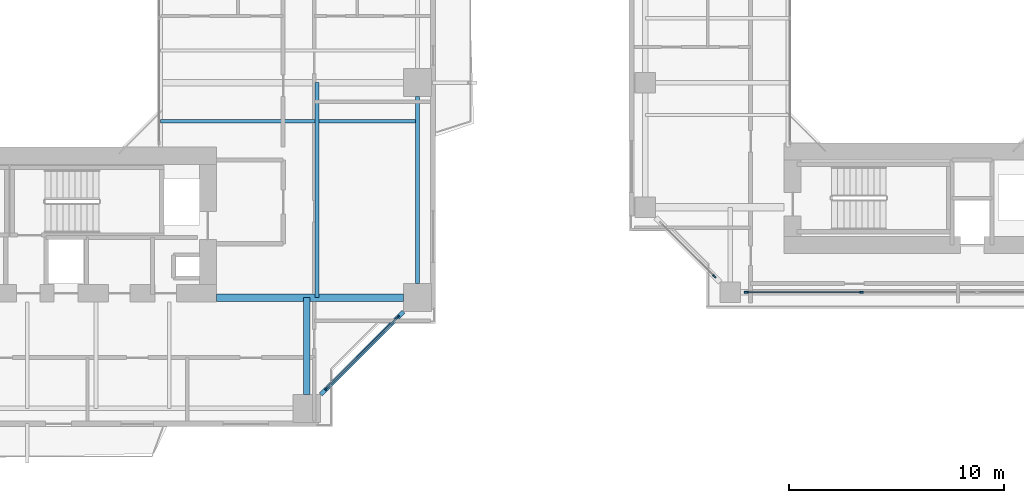
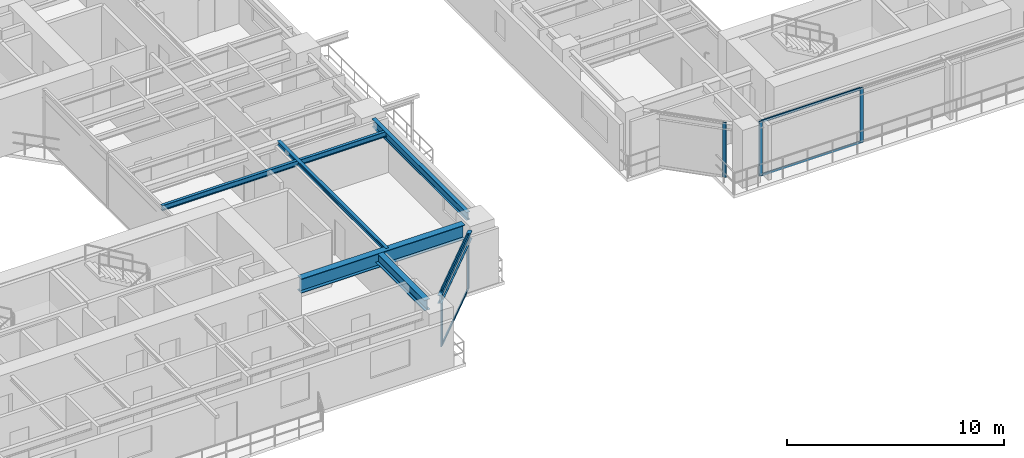
# One storey, part 5 of 23: 9 members, 6 beams, 3 elements without a shape of their own.
"""IFC4 building model written with IfcOpenShell, lengths in metres."""

from ifc_helpers import new_model, si_unit, direction, frame, origin, origin_2d, place, context, subcontext, project, spatial, rectangle, i_section, extrude, source, transform, mapped, material, layer, layer_set, material_profile, profile_set, type_object, element, aggregate, save


model = new_model("IFC4")

# Units and contexts
model_context = context("Model", 3, precision=1e-05, world=origin(), true_north=direction((0.0, 1.0)))
body_context = subcontext(model_context, "Body", "Model", "MODEL_VIEW")
ifc_project = project(units=[si_unit("LENGTHUNIT", "METRE"), si_unit("AREAUNIT", "SQUARE_METRE"), si_unit("VOLUMEUNIT", "CUBIC_METRE"), si_unit("PLANEANGLEUNIT", "RADIAN"), si_unit("MASSUNIT", "GRAM", prefix="KILO"), si_unit("THERMODYNAMICTEMPERATUREUNIT", "KELVIN"), si_unit("POWERUNIT", "WATT")], contexts=[model_context])

# Site, building, storey
site_placement = place(None, origin())
site = spatial("IfcSite", under=ifc_project, at=site_placement, CompositionType="ELEMENT")
building_placement = place(site_placement, origin())
building = spatial("IfcBuilding", under=site, at=building_placement, Name="Qiaomeng Ring Towers", CompositionType="ELEMENT")
storey_placement = place(building_placement, frame((0.0, 0.0, 39.25)))
storey = spatial("IfcBuildingStorey", under=building, at=storey_placement, Name="L10", CompositionType="ELEMENT", Elevation=39.25)

# Beams
ifc_material_1 = material(Name="Steel Q355B", Category="steel")
ifc_material_profile_1 = material_profile(ifc_material_1, i_section(OverallWidth=0.199951171875, OverallDepth=0.449951171875, WebThickness=0.009033203125, FlangeThickness=0.013916015625, FilletRadius=0.01806640625, at=origin_2d()), Name="HN 450x200x9x14")
ifc_profile_set_1 = profile_set([ifc_material_profile_1], Name="Steel Q355B")
beam_type_1 = type_object("IfcBeamType", Name="STR-BM-HN450", PredefinedType="SPANDREL", material=ifc_profile_set_1)
shared_shape_1 = source(origin(), body_context, "Body", "SweptSolid", [
    extrude(i_section(OverallWidth=0.199951171875, OverallDepth=0.449951171875, WebThickness=0.009033203125, FlangeThickness=0.013916015625, FilletRadius=0.01806640625, at=origin_2d()), origin(), (0.0, 0.0, 1.0), 5.446533203125),
])
beam_1_placement = place(storey_placement, frame((32.6494140625, 5.499267578125, 2.844970703125), z_axis=(0.707106781187, 0.707106781187, 0.0), x_axis=(-0.707106781187, 0.707106781187, 0.0)))
element("IfcBeam", 1, at=beam_1_placement, inside=storey, type_object=beam_type_1, Name="L10 beam STR-SP-L10-T1-S2-E1", PredefinedType="SPANDREL", context=body_context, shape_type="MappedRepresentation", body=[
    mapped(shared_shape_1, transform((0.0, 0.0, 0.0), x_axis=(1.0, 0.0, 0.0), y_axis=(0.0, 1.0, 0.0), z_axis=(0.0, 0.0, 1.0), scale=1.0)),
])
shared_shape_2 = source(origin(), body_context, "Body", "SweptSolid", [
    extrude(i_section(OverallWidth=0.199951171875, OverallDepth=0.449951171875, WebThickness=0.009033203125, FlangeThickness=0.013916015625, FilletRadius=0.01806640625, at=origin_2d()), origin(), (0.0, 0.0, 1.0), 8.7021484375),
])
beam_2_placement = place(storey_placement, frame((37.14990234375, 10.64892578125, 2.844970703125), z_axis=(0.0, 1.0, 0.0), x_axis=(-1.0, 0.0, 0.0)))
element("IfcBeam", 2, at=beam_2_placement, inside=storey, type_object=beam_type_1, Name="L10 beam STR-SP-L10-T1-E1-E2", PredefinedType="SPANDREL", context=body_context, shape_type="MappedRepresentation", body=[
    mapped(shared_shape_2, transform((0.0, 0.0, 0.0), x_axis=(1.0, 0.0, 0.0), y_axis=(0.0, 1.0, 0.0), z_axis=(0.0, 0.0, 1.0), scale=1.0)),
])
ifc_material_2 = material(Name="Steel Q390GJC", Category="steel")
ifc_material_profile_2 = material_profile(ifc_material_2, i_section(OverallWidth=0.35009765625, OverallDepth=0.800048828125, WebThickness=0.01611328125, FlangeThickness=0.028076171875, at=origin_2d()), Name="WH 800x350x16x28")
ifc_profile_set_2 = profile_set([ifc_material_profile_2], Name="Steel Q390GJC")
beam_type_2 = type_object("IfcBeamType", Name="STR-BM-WH800", PredefinedType="BEAM", material=ifc_profile_set_2)
shared_shape_3 = source(origin(), body_context, "Body", "SweptSolid", [
    extrude(i_section(OverallWidth=0.35009765625, OverallDepth=0.800048828125, WebThickness=0.01611328125, FlangeThickness=0.028076171875, at=origin_2d()), origin(), (0.0, 0.0, 1.0), 8.700927734375),
])
beam_3_placement = place(storey_placement, frame((27.800048828125, 10.0, 2.669921875), z_axis=(1.0, 0.0, 0.0), x_axis=(0.0, 1.0, 0.0)))
element("IfcBeam", 3, at=beam_3_placement, inside=storey, type_object=beam_type_2, Name="L10 beam STR-BM-L10-T1-RAD-E1", PredefinedType="BEAM", context=body_context, shape_type="MappedRepresentation", body=[
    mapped(shared_shape_3, transform((0.0, 0.0, 0.0), x_axis=(1.0, 0.0, 0.0), y_axis=(0.0, 1.0, 0.0), z_axis=(0.0, 0.0, 1.0), scale=1.0)),
])
ifc_material_profile_3 = material_profile(ifc_material_1, i_section(OverallWidth=0.300048828125, OverallDepth=0.587890625, WebThickness=0.011962890625, FlangeThickness=0.02001953125, FilletRadius=0.028076171875, at=origin_2d()), Name="HM 588x300x12x20")
ifc_profile_set_3 = profile_set([ifc_material_profile_3], Name="Steel Q355B")
beam_type_3 = type_object("IfcBeamType", Name="STR-BM-HM588", PredefinedType="BEAM", material=ifc_profile_set_3)
shared_shape_4 = source(origin(), body_context, "Body", "SweptSolid", [
    extrude(i_section(OverallWidth=0.300048828125, OverallDepth=0.587890625, WebThickness=0.011962890625, FlangeThickness=0.02001953125, FilletRadius=0.028076171875, at=origin_2d()), origin(), (0.0, 0.0, 1.0), 4.5009765625),
])
beam_4_placement = place(storey_placement, frame((32.0, 5.4990234375, 2.77587890625), z_axis=(0.0, 1.0, 0.0), x_axis=(-1.0, 0.0, 0.0)))
element("IfcBeam", 4, at=beam_4_placement, inside=storey, type_object=beam_type_3, Name="L10 beam STR-BM-L10-T1-RAD-S2", PredefinedType="BEAM", context=body_context, shape_type="MappedRepresentation", body=[
    mapped(shared_shape_4, transform((0.0, 0.0, 0.0), x_axis=(1.0, 0.0, 0.0), y_axis=(0.0, 1.0, 0.0), z_axis=(0.0, 0.0, 1.0), scale=1.0)),
])
ifc_material_profile_4 = material_profile(ifc_material_1, i_section(OverallWidth=0.14990234375, OverallDepth=0.300048828125, WebThickness=0.006591796875, FlangeThickness=0.009033203125, FilletRadius=0.012939453125, at=origin_2d()), Name="HN 300x150x6.5x9")
ifc_profile_set_4 = profile_set([ifc_material_profile_4], Name="Steel Q355B")
beam_type_4 = type_object("IfcBeamType", Name="STR-BM-HN300", PredefinedType="JOIST", material=ifc_profile_set_4)
shared_shape_5 = source(origin(), body_context, "Body", "SweptSolid", [
    extrude(i_section(OverallWidth=0.14990234375, OverallDepth=0.300048828125, WebThickness=0.006591796875, FlangeThickness=0.009033203125, FilletRadius=0.012939453125, at=origin_2d()), origin(), (0.0, 0.0, 1.0), 11.949951171875),
])
beam_5_placement = place(storey_placement, frame((25.199951171875, 18.199951171875, 2.919921875), z_axis=(1.0, 0.0, 0.0), x_axis=(0.0, 1.0, 0.0)))
element("IfcBeam", 5, at=beam_5_placement, inside=storey, type_object=beam_type_4, Name="L10 beam STR-JST-L10-T1E-1", PredefinedType="JOIST", context=body_context, shape_type="MappedRepresentation", body=[
    mapped(shared_shape_5, transform((0.0, 0.0, 0.0), x_axis=(1.0, 0.0, 0.0), y_axis=(0.0, 1.0, 0.0), z_axis=(0.0, 0.0, 1.0), scale=1.0)),
])
ifc_material_profile_5 = material_profile(ifc_material_1, i_section(OverallWidth=0.175048828125, OverallDepth=0.243896484375, WebThickness=0.007080078125, FlangeThickness=0.010986328125, FilletRadius=0.01611328125, at=origin_2d()), Name="HM 244x175x7x11")
ifc_profile_set_5 = profile_set([ifc_material_profile_5], Name="Steel Q355B")
beam_type_5 = type_object("IfcBeamType", Name="STR-BM-HM244", PredefinedType="JOIST", material=ifc_profile_set_5)
shared_shape_6 = source(origin(), body_context, "Body", "SweptSolid", [
    extrude(i_section(OverallWidth=0.175048828125, OverallDepth=0.243896484375, WebThickness=0.007080078125, FlangeThickness=0.010986328125, FilletRadius=0.01611328125, at=origin_2d()), origin(), (0.0, 0.0, 1.0), 10.0),
])
beam_6_placement = place(storey_placement, frame((32.47509765625, 10.0, 2.947998046875), z_axis=(0.0, 1.0, 0.0), x_axis=(-1.0, 0.0, 0.0)))
element("IfcBeam", 6, at=beam_6_placement, inside=storey, type_object=beam_type_5, Name="L10 beam STR-JST-L10-T1C-ES", PredefinedType="JOIST", context=body_context, shape_type="MappedRepresentation", body=[
    mapped(shared_shape_6, transform((0.0, 0.0, 0.0), x_axis=(1.0, 0.0, 0.0), y_axis=(0.0, 1.0, 0.0), z_axis=(0.0, 0.0, 1.0), scale=1.0)),
])

# Curtain wall, members
ifc_material_3 = material(Name="Fluorocarbon dark-grey aluminium", Category="aluminium")
ifc_layer_1 = layer(ifc_material_3, 0.159912109375, Name="Fluorocarbon dark-grey aluminium")
ifc_layer_set_1 = layer_set([ifc_layer_1], Name="Fluorocarbon dark-grey aluminium")
curtain_wall_type_1 = type_object("IfcCurtainWallType", Name="ARC-CW-2", PredefinedType="NOTDEFINED", material=ifc_layer_set_1)
curtain_wall_1_placement = place(storey_placement, origin())
curtain_wall_1 = element("IfcCurtainWall", 7, at=curtain_wall_1_placement, inside=storey, type_object=curtain_wall_type_1, Name="L10 Curtain Wall CW2", PredefinedType="NOTDEFINED")
ifc_material_profile_6 = material_profile(ifc_material_3, rectangle(XDim=0.070068359375, YDim=0.179931640625, at=origin_2d()), Name="ALU MULL 70x180")
ifc_profile_set_6 = profile_set([ifc_material_profile_6], Name="Fluorocarbon dark-grey aluminium")
member_type_1 = type_object("IfcMemberType", Name="ARC-CWM-160", PredefinedType="MULLION", material=ifc_profile_set_6)
shared_shape_7 = source(origin(), body_context, "Body", "SweptSolid", [
    extrude(rectangle(XDim=0.070068359375, YDim=0.179931640625, at=origin_2d()), origin(), (0.0, 0.0, 1.0), 3.070068359375),
])
member_1_placement = place(storey_placement, frame((32.914794921875, 5.7646484375, 0.0), z_axis=(0.0, 0.0, 1.0), x_axis=(-0.707106781187, 0.707106781187, 0.0)))
member_1 = element("IfcMember", 8, at=member_1_placement, type_object=member_type_1, Name="CW2 mullion 1", PredefinedType="MULLION", context=body_context, shape_type="MappedRepresentation", body=[
    mapped(shared_shape_7, transform((0.0, 0.0, 0.0), x_axis=(1.0, 0.0, 0.0), y_axis=(0.0, 1.0, 0.0), z_axis=(0.0, 0.0, 1.0), scale=1.0)),
])
member_2_placement = place(storey_placement, frame((36.2353515625, 9.085205078125, 0.0), z_axis=(0.0, 0.0, 1.0), x_axis=(-0.707106781187, 0.707106781187, 0.0)))
member_2 = element("IfcMember", 9, at=member_2_placement, type_object=member_type_1, Name="CW2 mullion 2", PredefinedType="MULLION", context=body_context, shape_type="MappedRepresentation", body=[
    mapped(shared_shape_7, transform((0.0, 0.0, 0.0), x_axis=(1.0, 0.0, 0.0), y_axis=(0.0, 1.0, 0.0), z_axis=(0.0, 0.0, 1.0), scale=1.0)),
])

# Curtain wall, member
ifc_layer_2 = layer(ifc_material_3, 0.14990234375, Name="Fluorocarbon dark-grey aluminium")
ifc_layer_set_2 = layer_set([ifc_layer_2], Name="Fluorocarbon dark-grey aluminium")
curtain_wall_type_2 = type_object("IfcCurtainWallType", Name="ARC-CW-5", PredefinedType="NOTDEFINED", material=ifc_layer_set_2)
curtain_wall_2_placement = place(storey_placement, origin())
curtain_wall_2 = element("IfcCurtainWall", 10, at=curtain_wall_2_placement, inside=storey, type_object=curtain_wall_type_2, Name="L10 Curtain Wall CW5", PredefinedType="NOTDEFINED")
member_3_placement = place(storey_placement, frame((50.960205078125, 10.98974609375, 0.0), z_axis=(0.0, 0.0, 1.0), x_axis=(0.707106781187, 0.707106781187, 0.0)))
member_3 = element("IfcMember", 11, at=member_3_placement, type_object=member_type_1, Name="CW5 mullion 2", PredefinedType="MULLION", context=body_context, shape_type="MappedRepresentation", body=[
    mapped(shared_shape_7, transform((0.0, 0.0, 0.0), x_axis=(1.0, 0.0, 0.0), y_axis=(0.0, 1.0, 0.0), z_axis=(0.0, 0.0, 1.0), scale=1.0)),
])
aggregate(curtain_wall_2, [member_3])

# Curtain wall, members
curtain_wall_3_placement = place(storey_placement, origin())
curtain_wall_3 = element("IfcCurtainWall", 12, at=curtain_wall_3_placement, inside=storey, type_object=curtain_wall_type_2, Name="L10 Curtain Wall CW5", PredefinedType="NOTDEFINED")
member_4_placement = place(storey_placement, frame((52.449951171875, 10.25, 0.0), z_axis=(0.0, 0.0, 1.0), x_axis=(0.0, 1.0, 0.0)))
member_4 = element("IfcMember", 13, at=member_4_placement, type_object=member_type_1, Name="CW5 mullion 1", PredefinedType="MULLION", context=body_context, shape_type="MappedRepresentation", body=[
    mapped(shared_shape_7, transform((0.0, 0.0, 0.0), x_axis=(1.0, 0.0, 0.0), y_axis=(0.0, 1.0, 0.0), z_axis=(0.0, 0.0, 1.0), scale=1.0)),
])
member_5_placement = place(storey_placement, frame((57.804931640625, 10.25, 0.0), z_axis=(0.0, 0.0, 1.0), x_axis=(0.0, 1.0, 0.0)))
member_5 = element("IfcMember", 14, at=member_5_placement, type_object=member_type_1, Name="CW5 mullion 2", PredefinedType="MULLION", context=body_context, shape_type="MappedRepresentation", body=[
    mapped(shared_shape_7, transform((0.0, 0.0, 0.0), x_axis=(1.0, 0.0, 0.0), y_axis=(0.0, 1.0, 0.0), z_axis=(0.0, 0.0, 1.0), scale=1.0)),
])

# Member
ifc_material_profile_7 = material_profile(ifc_material_3, rectangle(XDim=0.06494140625, YDim=0.1298828125, at=origin_2d()), Name="ALU TRAN 65x130")
ifc_profile_set_7 = profile_set([ifc_material_profile_7], Name="Fluorocarbon dark-grey aluminium")
member_type_2 = type_object("IfcMemberType", Name="ARC-CWT-120", PredefinedType="USERDEFINED", material=ifc_profile_set_7)
shared_shape_8 = source(origin(), body_context, "Body", "SweptSolid", [
    extrude(rectangle(XDim=0.06494140625, YDim=0.1298828125, at=origin_2d()), origin(), (0.0, 0.0, 1.0), 4.6259765625),
])
member_6_placement = place(storey_placement, frame((32.939453125, 5.78955078125, 0.032470703125), z_axis=(0.707106781187, 0.707106781187, 0.0), x_axis=(-0.707106781187, 0.707106781187, 0.0)))
member_6 = element("IfcMember", 15, at=member_6_placement, type_object=member_type_2, Name="CW2 transom 1.1", ObjectType="TRANSOM", PredefinedType="USERDEFINED", context=body_context, shape_type="MappedRepresentation", body=[
    mapped(shared_shape_8, transform((0.0, 0.0, 0.0), x_axis=(1.0, 0.0, 0.0), y_axis=(0.0, 1.0, 0.0), z_axis=(0.0, 0.0, 1.0), scale=1.0)),
])

member_7_placement = place(storey_placement, frame((32.939453125, 5.78955078125, 3.03759765625), z_axis=(0.707106781187, 0.707106781187, 0.0), x_axis=(-0.707106781187, 0.707106781187, 0.0)))
member_7 = element("IfcMember", 16, at=member_7_placement, type_object=member_type_2, Name="CW2 transom 1.2", ObjectType="TRANSOM", PredefinedType="USERDEFINED", context=body_context, shape_type="MappedRepresentation", body=[
    mapped(shared_shape_8, transform((0.0, 0.0, 0.0), x_axis=(1.0, 0.0, 0.0), y_axis=(0.0, 1.0, 0.0), z_axis=(0.0, 0.0, 1.0), scale=1.0)),
])

aggregate(curtain_wall_1, [member_1, member_2, member_6, member_7])

shared_shape_9 = source(origin(), body_context, "Body", "SweptSolid", [
    extrude(rectangle(XDim=0.06494140625, YDim=0.1298828125, at=origin_2d()), origin(), (0.0, 0.0, 1.0), 5.284912109375),
])
member_8_placement = place(storey_placement, frame((52.485107421875, 10.25, 0.032470703125), z_axis=(1.0, 0.0, 0.0), x_axis=(0.0, 1.0, 0.0)))
member_8 = element("IfcMember", 17, at=member_8_placement, type_object=member_type_2, Name="CW5 transom 1.1", ObjectType="TRANSOM", PredefinedType="USERDEFINED", context=body_context, shape_type="MappedRepresentation", body=[
    mapped(shared_shape_9, transform((0.0, 0.0, 0.0), x_axis=(1.0, 0.0, 0.0), y_axis=(0.0, 1.0, 0.0), z_axis=(0.0, 0.0, 1.0), scale=1.0)),
])

member_9_placement = place(storey_placement, frame((52.485107421875, 10.25, 3.03759765625), z_axis=(1.0, 0.0, 0.0), x_axis=(0.0, 1.0, 0.0)))
member_9 = element("IfcMember", 18, at=member_9_placement, type_object=member_type_2, Name="CW5 transom 1.2", ObjectType="TRANSOM", PredefinedType="USERDEFINED", context=body_context, shape_type="MappedRepresentation", body=[
    mapped(shared_shape_9, transform((0.0, 0.0, 0.0), x_axis=(1.0, 0.0, 0.0), y_axis=(0.0, 1.0, 0.0), z_axis=(0.0, 0.0, 1.0), scale=1.0)),
])

aggregate(curtain_wall_3, [member_4, member_5, member_8, member_9])

save(model, "model.ifc")
